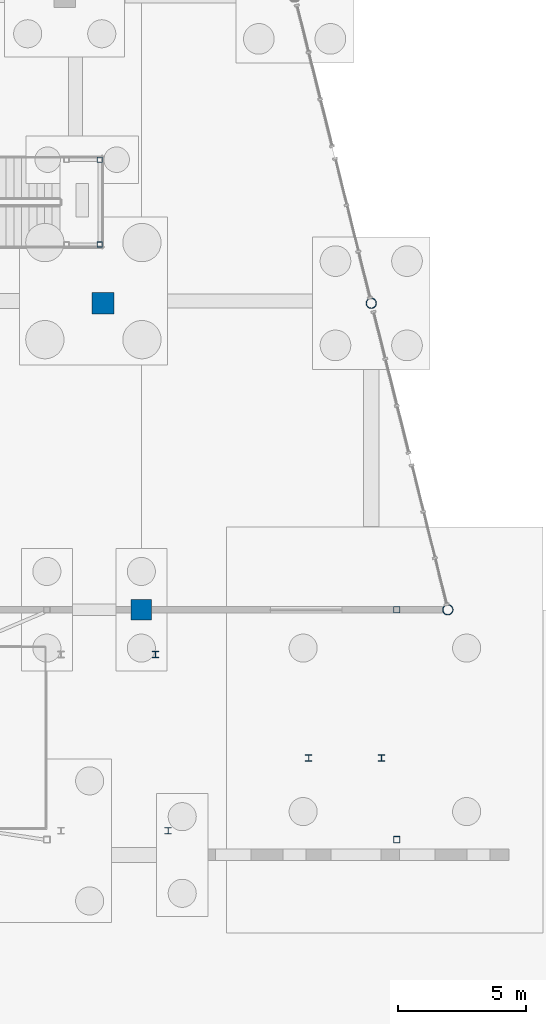
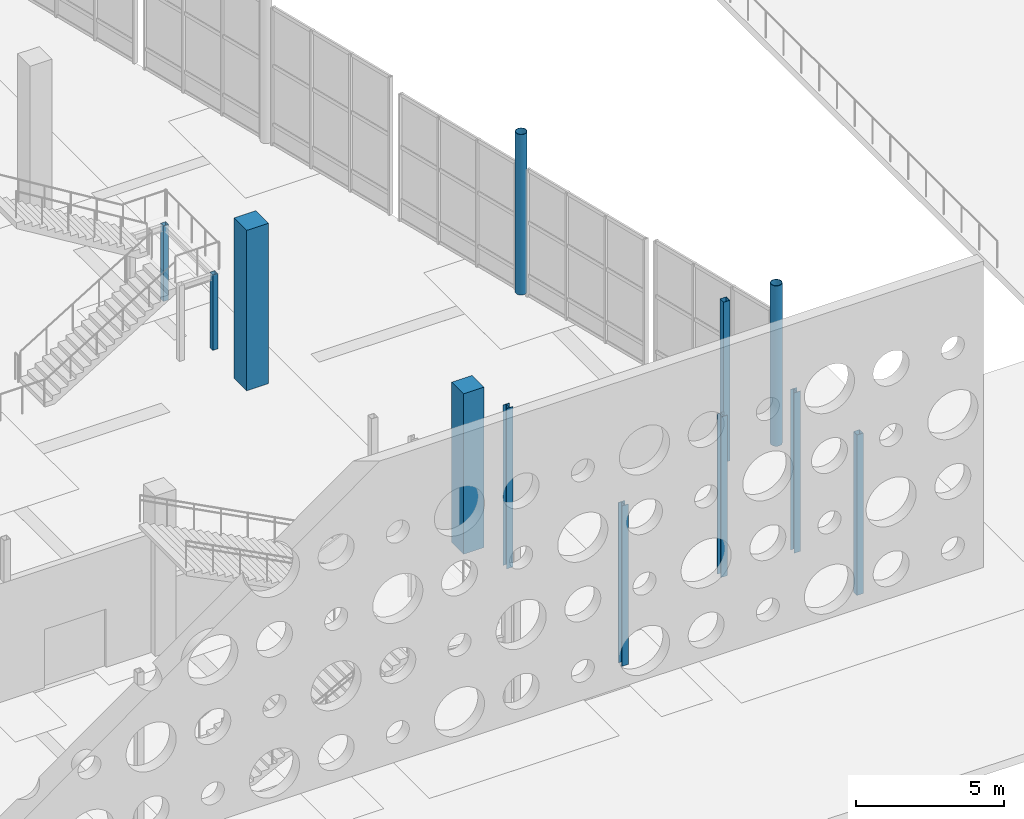
# One storey, part 33 of 117: 12 columns.
"""IFC4 building model written with IfcOpenShell, lengths in metres."""

from ifc_helpers import new_model, si_unit, direction, frame, origin, origin_2d, place, context, subcontext, project, spatial, rectangle, hollow_rectangle, hollow_circle, i_section, extrude, material, material_profile, profile_set, type_object, element, save


model = new_model("IFC4")

# Units and contexts
model_context = context("Model", 3, precision=1e-05, world=origin(), true_north=direction((0.0, 1.0)))
body_context = subcontext(model_context, "Body", "Model", "MODEL_VIEW")
ifc_project = project(units=[si_unit("LENGTHUNIT", "METRE"), si_unit("AREAUNIT", "SQUARE_METRE"), si_unit("VOLUMEUNIT", "CUBIC_METRE"), si_unit("PLANEANGLEUNIT", "RADIAN"), si_unit("MASSUNIT", "GRAM", prefix="KILO")], contexts=[model_context])

# Site, building, storey
site_placement = place(None, origin())
site = spatial("IfcSite", under=ifc_project, at=site_placement, CompositionType="ELEMENT")
building_placement = place(site_placement, origin())
building = spatial("IfcBuilding", under=site, at=building_placement, Name="Kamomehara Wholesale Market", CompositionType="ELEMENT")
storey_placement = place(building_placement, origin())
storey = spatial("IfcBuildingStorey", under=building, at=storey_placement, Name="L00", CompositionType="ELEMENT", Elevation=0.0)

# Columns
ifc_material_1 = material(Name="Precast concrete Fc45 (C40/50)", Category="concrete")
ifc_material_profile_1 = material_profile(ifc_material_1, rectangle(XDim=0.800048828125, YDim=0.800048828125, at=origin_2d()), Name="PC-COL-800x800")
ifc_profile_set_1 = profile_set([ifc_material_profile_1], Name="Precast concrete Fc45 (C40/50)")
column_type_1 = type_object("IfcColumnType", Name="COL-PC800-EXT", PredefinedType="COLUMN", material=ifc_profile_set_1)
column_1_placement = place(storey_placement, frame((192.0, 24.0, 0.0), z_axis=(0.0, 0.0, 1.0), x_axis=(1.0, 0.0, 0.0)))
element("IfcColumn", 1, at=column_1_placement, inside=storey, type_object=column_type_1, Name="Column C-03E L00", PredefinedType="COLUMN", context=body_context, shape_type="SweptSolid", body=[
    extrude(rectangle(XDim=0.800048828125, YDim=0.800048828125, at=origin_2d()), origin(), (0.0, 0.0, 1.0), 6.60009765625),
])
ifc_material_2 = material(Name="Precast concrete Fc45 (C40/50)", Category="concrete")
ifc_material_profile_2 = material_profile(ifc_material_2, rectangle(XDim=0.85009765625, YDim=0.85009765625, at=origin_2d()), Name="PC-COL-850x850")
ifc_profile_set_2 = profile_set([ifc_material_profile_2], Name="Precast concrete Fc45 (C40/50)")
column_type_2 = type_object("IfcColumnType", Name="COL-PC850-EXT", PredefinedType="COLUMN", material=ifc_profile_set_2)
column_2_placement = place(storey_placement, frame((190.5, 36.0, 0.0), z_axis=(0.0, 0.0, 1.0), x_axis=(1.0, 0.0, 0.0)))
element("IfcColumn", 2, at=column_2_placement, inside=storey, type_object=column_type_2, Name="Column C-02E L00", PredefinedType="COLUMN", context=body_context, shape_type="SweptSolid", body=[
    extrude(rectangle(XDim=0.85009765625, YDim=0.85009765625, at=origin_2d()), origin(), (0.0, 0.0, 1.0), 6.60009765625),
])
ifc_material_3 = material(Name="Steel SN490B", Category="steel")
ifc_material_profile_3 = material_profile(ifc_material_3, hollow_circle(Radius=0.203125, WallThickness=0.01611328125, at=origin_2d()), Name="CHS-406.4x16.0")
ifc_profile_set_3 = profile_set([ifc_material_profile_3], Name="Steel SN490B")
column_type_3 = type_object("IfcColumnType", Name="COL-ST-CHS406-EXT", PredefinedType="COLUMN", material=ifc_profile_set_3)
for number, where, z_axis, x_axis, name in (
    (3, (201.0, 36.0, 0.0), (0.0, 0.0, 1.0), (1.0, 0.0, 0.0), "Column CS-08E L00"),
    (4, (204.0, 24.0, 0.0), (0.0, 0.0, 1.0), (1.0, 0.0, 0.0), "Column CS-08E L00"),
):
    element("IfcColumn", number, at=place(storey_placement, frame(where, z_axis=z_axis, x_axis=x_axis)), inside=storey, type_object=column_type_3, Name=name, PredefinedType="COLUMN", context=body_context, shape_type="SweptSolid", body=[
        extrude(hollow_circle(Radius=0.203125, WallThickness=0.01611328125, at=origin_2d()), origin(), (0.0, 0.0, 1.0), 6.60009765625),
    ])
ifc_material_4 = material(Name="Steel SN490B", Category="steel")
ifc_material_profile_4 = material_profile(ifc_material_4, i_section(OverallWidth=0.25, OverallDepth=0.25, WebThickness=0.009033203125, FlangeThickness=0.013916015625, FilletRadius=0.012939453125, at=origin_2d()), Name="H-250x250x9x14")
ifc_profile_set_4 = profile_set([ifc_material_profile_4], Name="Steel SN490B")
column_type_4 = type_object("IfcColumnType", Name="COL-ST-H250-EXT", PredefinedType="COLUMN", material=ifc_profile_set_4)
for number, where, z_axis, x_axis, name in (
    (5, (198.550048828125, 18.199951171875, 0.0), (0.0, 0.0, 1.0), (1.0, 0.0, 0.0), "Column CS-04E L00"),
    (6, (201.39990234375, 18.199951171875, 0.0), (0.0, 0.0, 1.0), (1.0, 0.0, 0.0), "Column CS-04E L00"),
    (7, (193.050048828125, 15.35009765625, 0.0), (0.0, 0.0, 1.0), (1.0, 0.0, 0.0), "Column CS-04E L00 ST20.3"),
    (8, (192.550048828125, 22.25, 0.0), (0.0, 0.0, 1.0), (1.0, 0.0, 0.0), "Column CS-04E L00 ST20.4"),
):
    element("IfcColumn", number, at=place(storey_placement, frame(where, z_axis=z_axis, x_axis=x_axis)), inside=storey, type_object=column_type_4, Name=name, PredefinedType="COLUMN", context=body_context, shape_type="SweptSolid", body=[
        extrude(i_section(OverallWidth=0.25, OverallDepth=0.25, WebThickness=0.009033203125, FlangeThickness=0.013916015625, FilletRadius=0.012939453125, at=origin_2d()), origin(), (0.0, 0.0, 1.0), 6.60009765625),
    ])
ifc_material_5 = material(Name="Steel SN490B", Category="steel")
ifc_material_profile_5 = material_profile(ifc_material_5, hollow_rectangle(XDim=0.199951171875, YDim=0.199951171875, WallThickness=0.009033203125, at=origin_2d()), Name="RHS-200x200x9")
ifc_profile_set_5 = profile_set([ifc_material_profile_5], Name="Steel SN490B")
column_type_5 = type_object("IfcColumnType", Name="COL-ST-RHS200", PredefinedType="COLUMN", material=ifc_profile_set_5)
for number, where, z_axis, x_axis, name in (
    (9, (190.3701171875, 38.300048828125, 0.0), (0.0, 0.0, 1.0), (1.0, 0.0, 0.0), "Column CS-12 L00"),
    (10, (190.3701171875, 41.6201171875, 0.0), (0.0, 0.0, 1.0), (1.0, 0.0, 0.0), "Column CS-12 L00"),
):
    element("IfcColumn", number, at=place(storey_placement, frame(where, z_axis=z_axis, x_axis=x_axis)), inside=storey, type_object=column_type_5, Name=name, PredefinedType="COLUMN", context=body_context, shape_type="SweptSolid", body=[
        extrude(hollow_rectangle(XDim=0.199951171875, YDim=0.199951171875, WallThickness=0.009033203125, at=origin_2d()), origin(), (0.0, 0.0, 1.0), 3.10009765625),
    ])
ifc_material_6 = material(Name="Steel SN490B", Category="steel")
ifc_material_profile_6 = material_profile(ifc_material_6, hollow_rectangle(XDim=0.25, YDim=0.25, WallThickness=0.011962890625, at=origin_2d()), Name="RHS-250x250x12")
ifc_profile_set_6 = profile_set([ifc_material_profile_6], Name="Steel SN490B")
column_type_6 = type_object("IfcColumnType", Name="COL-ST-RHS250-EXT", PredefinedType="COLUMN", material=ifc_profile_set_6)
for number, where, z_axis, x_axis, name in (
    (11, (202.0, 15.0, 0.0), (0.0, 0.0, 1.0), (1.0, 0.0, 0.0), "Column CS-07E L00"),
    (12, (202.0, 24.0, 0.0), (0.0, 0.0, 1.0), (1.0, 0.0, 0.0), "Column CS-07E L00"),
):
    element("IfcColumn", number, at=place(storey_placement, frame(where, z_axis=z_axis, x_axis=x_axis)), inside=storey, type_object=column_type_6, Name=name, PredefinedType="COLUMN", context=body_context, shape_type="SweptSolid", body=[
        extrude(hollow_rectangle(XDim=0.25, YDim=0.25, WallThickness=0.011962890625, at=origin_2d()), origin(), (0.0, 0.0, 1.0), 6.60009765625),
    ])

save(model, "model.ifc")
